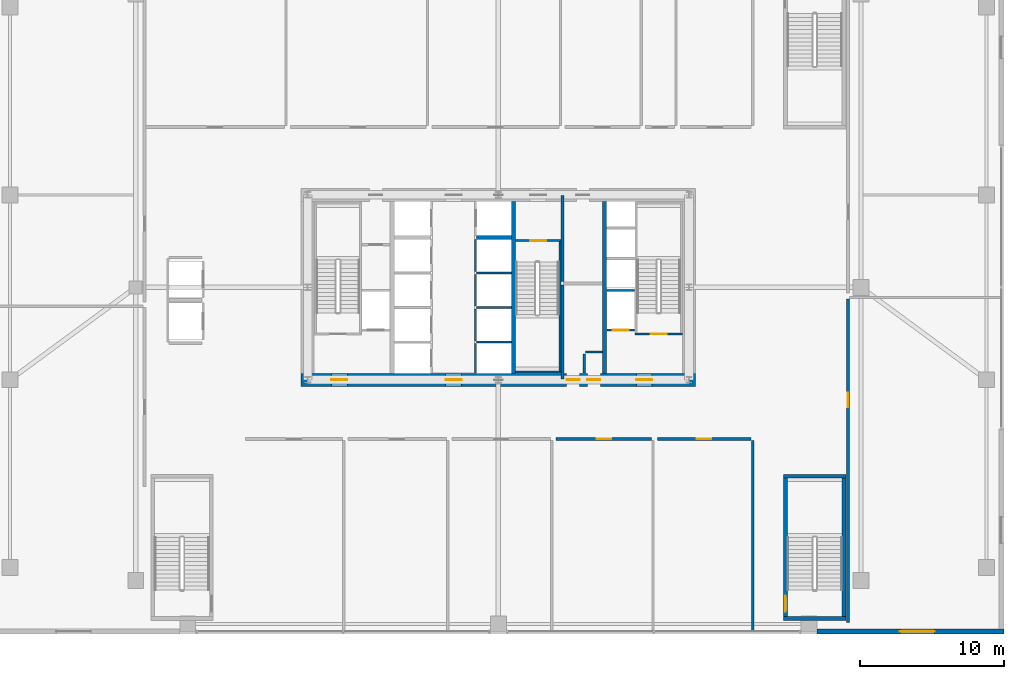
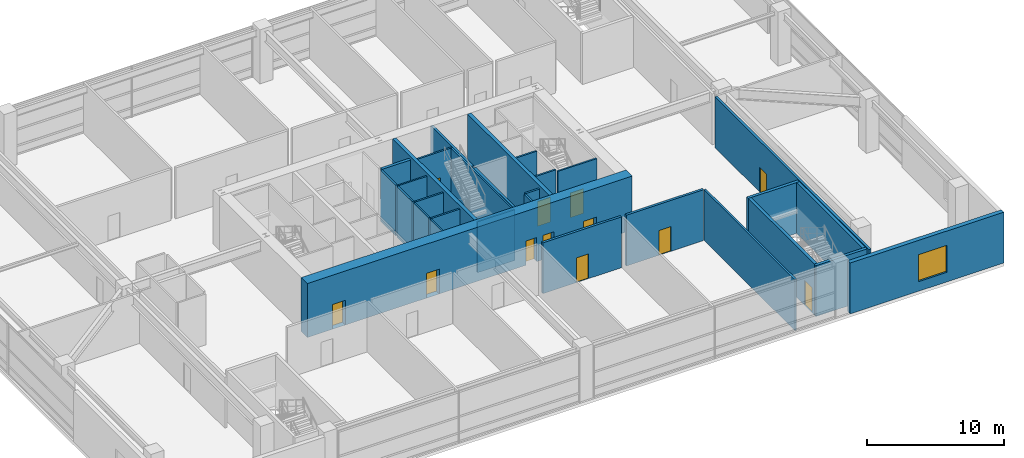
# One storey, part 34 of 39: 30 walls, 12 doors, 1 window, 13 openings.
"""IFC4 building model written with IfcOpenShell, lengths in metres."""

from ifc_helpers import new_model, si_unit, direction, frame, frame_2d, origin, place, context, subcontext, project, spatial, rectangle, extrude, source, transform, mapped, material, layer, layer_set, type_object, element, fill, save


model = new_model("IFC4")

# Units and contexts
model_context = context("Model", 3, precision=1e-05, world=origin(), true_north=direction((0.0, 1.0)))
body_context = subcontext(model_context, "Body", "Model", "MODEL_VIEW")
ifc_project = project(units=[si_unit("LENGTHUNIT", "METRE"), si_unit("AREAUNIT", "SQUARE_METRE"), si_unit("VOLUMEUNIT", "CUBIC_METRE"), si_unit("PLANEANGLEUNIT", "RADIAN"), si_unit("MASSUNIT", "GRAM", prefix="KILO"), si_unit("THERMODYNAMICTEMPERATUREUNIT", "KELVIN"), si_unit("POWERUNIT", "WATT")], contexts=[model_context])

# Site, building, storey
site_placement = place(None, origin())
site = spatial("IfcSite", under=ifc_project, at=site_placement, CompositionType="ELEMENT")
building_placement = place(site_placement, origin())
building = spatial("IfcBuilding", under=site, at=building_placement, Name="Yuzanri Waterfront Tower", CompositionType="ELEMENT")
storey_placement = place(building_placement, frame((0.0, 0.0, 15.0)))
storey = spatial("IfcBuildingStorey", under=building, at=storey_placement, Name="L04", CompositionType="ELEMENT", Elevation=15.0)

# Wall, openings, doors
ifc_material_1 = material(Name="Concrete C60", Category="concrete")
ifc_layer_1 = layer(ifc_material_1, 0.89990234375)
ifc_layer_set_1 = layer_set([ifc_layer_1], Name="Concrete C60")
wall_type_1 = type_object("IfcWallType", Name="Concrete C60 Lower Zone Core Shear Wall 900", PredefinedType="SHEAR", material=ifc_layer_set_1)
wall_1_placement = place(storey_placement, frame((23.35009765625, 19.39990234375, 0.0), z_axis=(0.0, 0.0, 1.0), x_axis=(1.0, 0.0, 0.0)))
wall_1 = element("IfcWall", 1, at=wall_1_placement, inside=storey, type_object=wall_type_1, Name="L04 Core South Shear Wall", PredefinedType="SHEAR", context=body_context, shape_type="SweptSolid", body=[
    extrude(rectangle(XDim=27.2998046875, YDim=0.89990234375, at=frame_2d((13.64990234375, 0.0))), origin(), (0.0, 0.0, 1.0), 4.800048828125),
])
opening_1_placement = place(wall_1_placement, frame((2.10009765625, 0.0, 0.0)))
opening_1 = element("IfcOpeningElement", 2, at=opening_1_placement, cuts=wall_1, Name="Opening FD-1100", PredefinedType="OPENING", context=body_context, shape_type="SweptSolid", body=[
    extrude(rectangle(XDim=1.10009765625, YDim=2.199951171875, at=frame_2d((0.550048828125, 1.10009765625))), frame((0.0, 0.46484375, 0.0), z_axis=(0.0, -1.0, 0.0), x_axis=(1.0, 0.0, 0.0)), (0.0, 0.0, 1.0), 0.9296875),
])
opening_2_placement = place(wall_1_placement, frame((10.0, 0.0, 0.0)))
opening_2 = element("IfcOpeningElement", 3, at=opening_2_placement, cuts=wall_1, Name="Opening FD-1100", PredefinedType="OPENING", context=body_context, shape_type="SweptSolid", body=[
    extrude(rectangle(XDim=1.10009765625, YDim=2.199951171875, at=frame_2d((0.550048828125, 1.10009765625))), frame((0.0, 0.46484375, 0.0), z_axis=(0.0, -1.0, 0.0), x_axis=(1.0, 0.0, 0.0)), (0.0, 0.0, 1.0), 0.9296875),
])
opening_3_placement = place(wall_1_placement, frame((23.199951171875, 0.0, 0.0)))
opening_3 = element("IfcOpeningElement", 4, at=opening_3_placement, cuts=wall_1, Name="Opening FD-1100", PredefinedType="OPENING", context=body_context, shape_type="SweptSolid", body=[
    extrude(rectangle(XDim=1.10009765625, YDim=2.199951171875, at=frame_2d((0.550048828125, 1.10009765625))), frame((0.0, 0.46484375, 0.0), z_axis=(0.0, -1.0, 0.0), x_axis=(1.0, 0.0, 0.0)), (0.0, 0.0, 1.0), 0.9296875),
])
opening_4_placement = place(wall_1_placement, frame((19.820068359375, 0.0, 0.0)))
opening_4 = element("IfcOpeningElement", 5, at=opening_4_placement, cuts=wall_1, Name="Opening FD-0900", PredefinedType="OPENING", context=body_context, shape_type="SweptSolid", body=[
    extrude(rectangle(XDim=0.89990234375, YDim=2.14990234375, at=frame_2d((0.449951171875, 1.074951171875))), frame((0.0, 0.46484375, 0.0), z_axis=(0.0, -1.0, 0.0), x_axis=(1.0, 0.0, 0.0)), (0.0, 0.0, 1.0), 0.9296875),
])
opening_5_placement = place(wall_1_placement, frame((18.3798828125, 0.0, 0.0)))
opening_5 = element("IfcOpeningElement", 6, at=opening_5_placement, cuts=wall_1, Name="Opening FD-0900", PredefinedType="OPENING", context=body_context, shape_type="SweptSolid", body=[
    extrude(rectangle(XDim=0.89990234375, YDim=2.14990234375, at=frame_2d((0.449951171875, 1.074951171875))), frame((0.0, 0.46484375, 0.0), z_axis=(0.0, -1.0, 0.0), x_axis=(1.0, 0.0, 0.0)), (0.0, 0.0, 1.0), 0.9296875),
])
ifc_material_2 = material(Name="Painted Galvanized Fire Steel", Category="steel")
door_type_1 = type_object("IfcDoorType", Name="Smoke-Proof Stair and Lobby Fire Door 1100x2200", OperationType="NOTDEFINED", PredefinedType="DOOR", material=ifc_material_2)
shared_shape_1 = source(origin(), body_context, "Body", "SweptSolid", [
    extrude(rectangle(XDim=1.10009765625, YDim=2.199951171875, at=frame_2d((0.550048828125, 1.10009765625))), frame((0.0, 0.02490234375, 0.0), z_axis=(0.0, -1.0, 0.0), x_axis=(1.0, 0.0, 0.0)), (0.0, 0.0, 1.0), 0.050048828125),
])
door_1_placement = place(opening_1_placement, origin())
door_1 = element("IfcDoor", 7, at=door_1_placement, inside=storey, type_object=door_type_1, Name="L04 West Firefighting Lobby Door", OperationType="SINGLE_SWING_LEFT", OverallHeight=2.199951171875, OverallWidth=1.10009765625, PredefinedType="DOOR", context=body_context, shape_type="MappedRepresentation", body=[
    mapped(shared_shape_1, transform((0.0, 0.0, 0.0), scale=1.0)),
])
fill(opening_1, door_1)
door_2_placement = place(opening_2_placement, origin())
door_2 = element("IfcDoor", 8, at=door_2_placement, inside=storey, type_object=door_type_1, Name="L04 Central Lift Lobby South Door", OperationType="SINGLE_SWING_RIGHT", OverallHeight=2.199951171875, OverallWidth=1.10009765625, PredefinedType="DOOR", context=body_context, shape_type="MappedRepresentation", body=[
    mapped(shared_shape_1, transform((0.0, 0.0, 0.0), scale=1.0)),
])
fill(opening_2, door_2)
door_3_placement = place(opening_3_placement, origin())
door_3 = element("IfcDoor", 9, at=door_3_placement, inside=storey, type_object=door_type_1, Name="L04 East Firefighting Lobby Door", OperationType="SINGLE_SWING_LEFT", OverallHeight=2.199951171875, OverallWidth=1.10009765625, PredefinedType="DOOR", context=body_context, shape_type="MappedRepresentation", body=[
    mapped(shared_shape_1, transform((0.0, 0.0, 0.0), scale=1.0)),
])
fill(opening_3, door_3)
ifc_material_3 = material(Name="Painted Galvanized Fire Steel", Category="steel")
door_type_2 = type_object("IfcDoorType", Name="Riser and Service Room Fire Door 900x2150", OperationType="NOTDEFINED", PredefinedType="DOOR", material=ifc_material_3)
shared_shape_2 = source(origin(), body_context, "Body", "SweptSolid", [
    extrude(rectangle(XDim=0.89990234375, YDim=2.14990234375, at=frame_2d((0.449951171875, 1.074951171875))), frame((0.0, 0.02490234375, 0.0), z_axis=(0.0, -1.0, 0.0), x_axis=(1.0, 0.0, 0.0)), (0.0, 0.0, 1.0), 0.050048828125),
])
door_4_placement = place(opening_4_placement, origin())
door_4 = element("IfcDoor", 10, at=door_4_placement, inside=storey, type_object=door_type_2, Name="L04 East Wet Riser Door", OperationType="SINGLE_SWING_RIGHT", OverallHeight=2.14990234375, OverallWidth=0.89990234375, PredefinedType="DOOR", context=body_context, shape_type="MappedRepresentation", body=[
    mapped(shared_shape_2, transform((0.0, 0.0, 0.0), scale=1.0)),
])
fill(opening_4, door_4)
door_5_placement = place(opening_5_placement, origin())
door_5 = element("IfcDoor", 11, at=door_5_placement, inside=storey, type_object=door_type_2, Name="L04 Meter and Valve Store Room", OperationType="SINGLE_SWING_LEFT", OverallHeight=2.14990234375, OverallWidth=0.89990234375, PredefinedType="DOOR", context=body_context, shape_type="MappedRepresentation", body=[
    mapped(shared_shape_2, transform((0.0, 0.0, 0.0), scale=1.0)),
])
fill(opening_5, door_5)

# Wall, opening, door
ifc_material_4 = material(Name="Concrete C40", Category="concrete")
ifc_layer_2 = layer(ifc_material_4, 0.139892578125)
ifc_layer_set_2 = layer_set([ifc_layer_2], Name="Concrete C40")
wall_type_2 = type_object("IfcWallType", Name="Core Stair Liner and Hoistway Shaft Wall 140", PredefinedType="SOLIDWALL", material=ifc_layer_set_2)
wall_2_placement = place(storey_placement, frame((44.52001953125, 22.830078125, 0.0), z_axis=(0.0, 0.0, 1.0), x_axis=(1.0, 0.0, 0.0)))
wall_2 = element("IfcWall", 12, at=wall_2_placement, inside=storey, type_object=wall_type_2, Name="L04 Lift FL-02 Front Shaft Wall", PredefinedType="SOLIDWALL", context=body_context, shape_type="SweptSolid", body=[
    extrude(rectangle(XDim=1.919921875, YDim=0.139892578125, at=frame_2d((0.9599609375, 0.0))), origin(), (0.0, 0.0, 1.0), 4.52001953125),
])
opening_6_placement = place(wall_2_placement, frame((0.409912109375, 0.0, 0.0)))
opening_6 = element("IfcOpeningElement", 13, at=opening_6_placement, cuts=wall_2, Name="Opening LD-FL-02", PredefinedType="OPENING", context=body_context, shape_type="SweptSolid", body=[
    extrude(rectangle(XDim=1.10009765625, YDim=2.199951171875, at=frame_2d((0.550048828125, 1.10009765625))), frame((0.0, 0.0849609375, 0.0), z_axis=(0.0, -1.0, 0.0), x_axis=(1.0, 0.0, 0.0)), (0.0, 0.0, 1.0), 0.169677734375),
])
ifc_material_5 = material(Name="Brushed Bronze and Stainless Steel Cab", Category="steel")
door_type_3 = type_object("IfcDoorType", Name="Center-Parting Bronze Lift Landing Sliding Door 1100x2200", OperationType="NOTDEFINED", PredefinedType="DOOR", material=ifc_material_5)
shared_shape_3 = source(origin(), body_context, "Body", "SweptSolid", [
    extrude(rectangle(XDim=1.10009765625, YDim=2.199951171875, at=frame_2d((0.550048828125, 1.10009765625))), frame((0.0, 0.02490234375, 0.0), z_axis=(0.0, -1.0, 0.0), x_axis=(1.0, 0.0, 0.0)), (0.0, 0.0, 1.0), 0.050048828125),
])
door_6_placement = place(opening_6_placement, origin())
door_6 = element("IfcDoor", 14, at=door_6_placement, inside=storey, type_object=door_type_3, Name="L04 FL-02 Lift Landing Sliding Door", OperationType="SLIDING_TO_RIGHT", OverallHeight=2.199951171875, OverallWidth=1.10009765625, PredefinedType="DOOR", context=body_context, shape_type="MappedRepresentation", body=[
    mapped(shared_shape_3, transform((0.0, 0.0, 0.0), scale=1.0)),
])
fill(opening_6, door_6)

wall_3_placement = place(storey_placement, frame((46.4599609375, 22.570068359375, 0.0), z_axis=(0.0, 0.0, 1.0), x_axis=(1.0, 0.0, 0.0)))
wall_3 = element("IfcWall", 15, at=wall_3_placement, inside=storey, type_object=wall_type_2, Name="L04 Shaft Wall STW-L04-ST-02-S", PredefinedType="SOLIDWALL", context=body_context, shape_type="SweptSolid", body=[
    extrude(rectangle(XDim=3.280029296875, YDim=0.139892578125, at=frame_2d((1.64013671875, 0.0))), origin(), (0.0, 0.0, 1.0), 4.52001953125),
])
opening_7_placement = place(wall_3_placement, frame((1.090087890625, 0.0, 0.0)))
opening_7 = element("IfcOpeningElement", 16, at=opening_7_placement, cuts=wall_3, Name="Opening FD-1100", PredefinedType="OPENING", context=body_context, shape_type="SweptSolid", body=[
    extrude(rectangle(XDim=1.10009765625, YDim=2.199951171875, at=frame_2d((0.550048828125, 1.10009765625))), frame((0.0, 0.0849609375, 0.0), z_axis=(0.0, -1.0, 0.0), x_axis=(1.0, 0.0, 0.0)), (0.0, 0.0, 1.0), 0.169677734375),
])
door_7_placement = place(opening_7_placement, origin())
door_7 = element("IfcDoor", 17, at=door_7_placement, inside=storey, type_object=door_type_1, Name="L04 Stair ST-02 Fire Door", OperationType="SINGLE_SWING_RIGHT", OverallHeight=2.199951171875, OverallWidth=1.10009765625, PredefinedType="DOOR", context=body_context, shape_type="MappedRepresentation", body=[
    mapped(shared_shape_1, transform((0.0, 0.0, 0.0), scale=1.0)),
])
fill(opening_7, door_7)

wall_4_placement = place(storey_placement, frame((38.199951171875, 29.030029296875, 0.0), z_axis=(0.0, 0.0, 1.0), x_axis=(1.0, 0.0, 0.0)))
wall_4 = element("IfcWall", 18, at=wall_4_placement, inside=storey, type_object=wall_type_2, Name="L04 Shaft Wall STW-L04-ST-03-N", PredefinedType="SOLIDWALL", context=body_context, shape_type="SweptSolid", body=[
    extrude(rectangle(XDim=3.14013671875, YDim=0.139892578125, at=frame_2d((1.570068359375, 0.0))), origin(), (0.0, 0.0, 1.0), 4.52001953125),
])
opening_8_placement = place(wall_4_placement, frame((1.02001953125, 0.0, 0.0)))
opening_8 = element("IfcOpeningElement", 19, at=opening_8_placement, cuts=wall_4, Name="Opening FD-1100", PredefinedType="OPENING", context=body_context, shape_type="SweptSolid", body=[
    extrude(rectangle(XDim=1.10009765625, YDim=2.199951171875, at=frame_2d((0.550048828125, 1.10009765625))), frame((0.0, 0.0849609375, 0.0), z_axis=(0.0, -1.0, 0.0), x_axis=(1.0, 0.0, 0.0)), (0.0, 0.0, 1.0), 0.169677734375),
])
door_8_placement = place(opening_8_placement, origin())
door_8 = element("IfcDoor", 20, at=door_8_placement, inside=storey, type_object=door_type_1, Name="L04 Stair ST-03 Fire Door", OperationType="SINGLE_SWING_LEFT", OverallHeight=2.199951171875, OverallWidth=1.10009765625, PredefinedType="DOOR", context=body_context, shape_type="MappedRepresentation", body=[
    mapped(shared_shape_1, transform((0.0, 0.0, 0.0), scale=1.0)),
])
fill(opening_8, door_8)

ifc_material_6 = material(Name="Autoclaved Aerated Concrete Blockwork", Category="masonry")
ifc_layer_3 = layer(ifc_material_6, 0.199951171875)
ifc_layer_set_3 = layer_set([ifc_layer_3], Name="Autoclaved Aerated Concrete Blockwork")
wall_type_3 = type_object("IfcWallType", Name="Corridor and Unit Party Fire Wall 200", PredefinedType="PARTITIONING", material=ifc_layer_set_3)
wall_5_placement = place(storey_placement, frame((41.0, 15.300048828125, 0.0), z_axis=(0.0, 0.0, 1.0), x_axis=(1.0, 0.0, 0.0)))
wall_5 = element("IfcWall", 21, at=wall_5_placement, inside=storey, type_object=wall_type_3, Name="L04 Partition PRW-L04-029-N", PredefinedType="PARTITIONING", context=body_context, shape_type="SweptSolid", body=[
    extrude(rectangle(XDim=6.60009765625, YDim=0.199951171875, at=frame_2d((3.300048828125, 0.0))), origin(), (0.0, 0.0, 1.0), 4.52001953125),
])
opening_9_placement = place(wall_5_placement, frame((2.800048828125, 0.0, 0.0)))
opening_9 = element("IfcOpeningElement", 22, at=opening_9_placement, cuts=wall_5, Name="Opening FD-1000", PredefinedType="OPENING", context=body_context, shape_type="SweptSolid", body=[
    extrude(rectangle(XDim=1.0, YDim=2.199951171875, at=frame_2d((0.5, 1.10009765625))), frame((0.0, 0.11474609375, 0.0), z_axis=(0.0, -1.0, 0.0), x_axis=(1.0, 0.0, 0.0)), (0.0, 0.0, 1.0), 0.229736328125),
])
ifc_material_7 = material(Name="Engineered Oak Fire-Rated Timber", Category="wood")
door_type_4 = type_object("IfcDoorType", Name="Guestroom and Apartment Entrance Fire Door 1000x2200", OperationType="NOTDEFINED", PredefinedType="DOOR", material=ifc_material_7)
shared_shape_4 = source(origin(), body_context, "Body", "SweptSolid", [
    extrude(rectangle(XDim=1.0, YDim=2.199951171875, at=frame_2d((0.5, 1.10009765625))), frame((0.0, 0.02490234375, 0.0), z_axis=(0.0, -1.0, 0.0), x_axis=(1.0, 0.0, 0.0)), (0.0, 0.0, 1.0), 0.050048828125),
])
door_9_placement = place(opening_9_placement, origin())
door_9 = element("IfcDoor", 23, at=door_9_placement, inside=storey, type_object=door_type_4, Name="L04 Pilates Movement Studio", OperationType="SINGLE_SWING_RIGHT", OverallHeight=2.199951171875, OverallWidth=1.0, PredefinedType="DOOR", context=body_context, shape_type="MappedRepresentation", body=[
    mapped(shared_shape_4, transform((0.0, 0.0, 0.0), scale=1.0)),
])
fill(opening_9, door_9)

wall_6_placement = place(storey_placement, frame((48.0, 15.300048828125, 0.0), z_axis=(0.0, 0.0, 1.0), x_axis=(1.0, 0.0, 0.0)))
wall_6 = element("IfcWall", 24, at=wall_6_placement, inside=storey, type_object=wall_type_3, Name="L04 Partition PRW-L04-030-N", PredefinedType="PARTITIONING", context=body_context, shape_type="SweptSolid", body=[
    extrude(rectangle(XDim=6.5, YDim=0.199951171875, at=frame_2d((3.25, 0.0))), origin(), (0.0, 0.0, 1.0), 4.52001953125),
])
opening_10_placement = place(wall_6_placement, frame((2.75, 0.0, 0.0)))
opening_10 = element("IfcOpeningElement", 25, at=opening_10_placement, cuts=wall_6, Name="Opening FD-1000", PredefinedType="OPENING", context=body_context, shape_type="SweptSolid", body=[
    extrude(rectangle(XDim=1.0, YDim=2.199951171875, at=frame_2d((0.5, 1.10009765625))), frame((0.0, 0.11474609375, 0.0), z_axis=(0.0, -1.0, 0.0), x_axis=(1.0, 0.0, 0.0)), (0.0, 0.0, 1.0), 0.229736328125),
])
door_10_placement = place(opening_10_placement, origin())
door_10 = element("IfcDoor", 26, at=door_10_placement, inside=storey, type_object=door_type_4, Name="L04 Mindfulness Yoga Gymnasium", OperationType="SINGLE_SWING_LEFT", OverallHeight=2.199951171875, OverallWidth=1.0, PredefinedType="DOOR", context=body_context, shape_type="MappedRepresentation", body=[
    mapped(shared_shape_4, transform((0.0, 0.0, 0.0), scale=1.0)),
])
fill(opening_10, door_10)

wall_7_placement = place(storey_placement, frame((61.199951171875, 2.60009765625, 0.0), z_axis=(0.0, 0.0, 1.0), x_axis=(0.0, 1.0, 0.0)))
wall_7 = element("IfcWall", 27, at=wall_7_placement, inside=storey, type_object=wall_type_3, Name="L04 Partition PRW-L04-033-W", PredefinedType="PARTITIONING", context=body_context, shape_type="SweptSolid", body=[
    extrude(rectangle(XDim=22.39990234375, YDim=0.199951171875, at=frame_2d((11.199951171875, 0.0))), origin(), (0.0, 0.0, 1.0), 4.52001953125),
])
opening_11_placement = place(wall_7_placement, frame((14.89990234375, 0.0, 0.0)))
opening_11 = element("IfcOpeningElement", 28, at=opening_11_placement, cuts=wall_7, Name="Opening FD-1000", PredefinedType="OPENING", context=body_context, shape_type="SweptSolid", body=[
    extrude(rectangle(XDim=1.0, YDim=2.199951171875, at=frame_2d((0.5, 1.10009765625))), frame((0.0, 0.11474609375, 0.0), z_axis=(0.0, -1.0, 0.0), x_axis=(1.0, 0.0, 0.0)), (0.0, 0.0, 1.0), 0.229736328125),
])
door_11_placement = place(opening_11_placement, origin())
door_11 = element("IfcDoor", 29, at=door_11_placement, inside=storey, type_object=door_type_4, Name="L04 Riverview Strength Gymnasium", OperationType="SINGLE_SWING_RIGHT", OverallHeight=2.199951171875, OverallWidth=1.0, PredefinedType="DOOR", context=body_context, shape_type="MappedRepresentation", body=[
    mapped(shared_shape_4, transform((0.0, 0.0, 0.0), scale=1.0)),
])
fill(opening_11, door_11)

# Wall, opening, window
ifc_material_8 = material(Name="Honed Chongqing Dark Basalt Stone", Category="masonry")
ifc_layer_4 = layer(ifc_material_8, 0.360107421875)
ifc_layer_set_4 = layer_set([ifc_layer_4], Name="Honed Chongqing Dark Basalt Stone")
wall_type_4 = type_object("IfcWallType", Name="Honed Basalt Stone Masonry-Frame Spandrel Wall 360", PredefinedType="SOLIDWALL", material=ifc_layer_set_4)
wall_8_placement = place(storey_placement, frame((59.070068359375, 1.97998046875, 0.0), z_axis=(0.0, 0.0, 1.0), x_axis=(1.0, 0.0, 0.0)))
wall_8 = element("IfcWall", 30, at=wall_8_placement, inside=storey, type_object=wall_type_4, Name="L04 South-East Basalt Pier", PredefinedType="SOLIDWALL", context=body_context, shape_type="SweptSolid", body=[
    extrude(rectangle(XDim=12.929931640625, YDim=0.360107421875, at=frame_2d((6.46484375, 0.0))), origin(), (0.0, 0.0, 1.0), 4.52001953125),
])
opening_12_placement = place(wall_8_placement, frame((5.72998046875, 0.0, 0.85009765625)))
opening_12 = element("IfcOpeningElement", 31, at=opening_12_placement, cuts=wall_8, Name="Opening WN-03", PredefinedType="OPENING", context=body_context, shape_type="SweptSolid", body=[
    extrude(rectangle(XDim=2.39990234375, YDim=2.39990234375, at=frame_2d((1.199951171875, 1.199951171875))), frame((0.0, 0.19482421875, 0.0), z_axis=(0.0, -1.0, 0.0), x_axis=(1.0, 0.0, 0.0)), (0.0, 0.0, 1.0), 0.389892578125),
])
ifc_material_9 = material(Name="Double-Silver Low-E Insulated Glass", Category="glass")
window_type = type_object("IfcWindowType", Name="Anodized Bronze Podium Waterfront Picture Window 2400x2400", PartitioningType="SINGLE_PANEL", PredefinedType="WINDOW", material=ifc_material_9)
shared_shape_5 = source(origin(), body_context, "Body", "SweptSolid", [
    extrude(rectangle(XDim=2.39990234375, YDim=2.39990234375, at=frame_2d((1.199951171875, 1.199951171875))), frame((0.0, 0.030029296875, 0.0), z_axis=(0.0, -1.0, 0.0), x_axis=(1.0, 0.0, 0.0)), (0.0, 0.0, 1.0), 0.06005859375),
])
window_placement = place(opening_12_placement, origin())
window = element("IfcWindow", 32, at=window_placement, inside=storey, type_object=window_type, Name="L04 SE Waterfront Window", OverallHeight=2.39990234375, OverallWidth=2.39990234375, PartitioningType="SINGLE_PANEL", PredefinedType="WINDOW", context=body_context, shape_type="MappedRepresentation", body=[
    mapped(shared_shape_5, transform((0.0, 0.0, 0.0), scale=1.0)),
])
fill(opening_12, window)

# Wall, opening, door
ifc_material_10 = material(Name="Concrete C40", Category="concrete")
ifc_layer_5 = layer(ifc_material_10, 0.25)
ifc_layer_set_5 = layer_set([ifc_layer_5], Name="Concrete C40")
wall_type_5 = type_object("IfcWallType", Name="Smoke-Proof Stair and Lift Shaft Wall 250", PredefinedType="SOLIDWALL", material=ifc_layer_set_5)
wall_9_placement = place(storey_placement, frame((56.875, 3.0, 0.0), z_axis=(0.0, 0.0, 1.0), x_axis=(0.0, 1.0, 0.0)))
wall_9 = element("IfcWall", 33, at=wall_9_placement, inside=storey, type_object=wall_type_5, Name="L04 Shaft Wall PSTW-L04-PST-02-W", PredefinedType="SOLIDWALL", context=body_context, shape_type="SweptSolid", body=[
    extrude(rectangle(XDim=9.60009765625, YDim=0.25, at=frame_2d((4.800048828125, 0.0))), origin(), (0.0, 0.0, 1.0), 4.52001953125),
])
opening_13_placement = place(wall_9_placement, frame((0.35009765625, 0.0, 0.0)))
opening_13 = element("IfcOpeningElement", 34, at=opening_13_placement, cuts=wall_9, Name="Opening FD-1100", PredefinedType="OPENING", context=body_context, shape_type="SweptSolid", body=[
    extrude(rectangle(XDim=1.10009765625, YDim=2.199951171875, at=frame_2d((0.550048828125, 1.10009765625))), frame((0.0, 0.139892578125, 0.0), z_axis=(0.0, -1.0, 0.0), x_axis=(1.0, 0.0, 0.0)), (0.0, 0.0, 1.0), 0.27978515625),
])
door_12_placement = place(opening_13_placement, origin())
door_12 = element("IfcDoor", 35, at=door_12_placement, inside=storey, type_object=door_type_1, Name="L04 PST-02 Stair Door", OperationType="SINGLE_SWING_LEFT", OverallHeight=2.199951171875, OverallWidth=1.10009765625, PredefinedType="DOOR", context=body_context, shape_type="MappedRepresentation", body=[
    mapped(shared_shape_1, transform((0.0, 0.0, 0.0), scale=1.0)),
])
fill(opening_13, door_12)

# Walls
ifc_material_11 = material(Name="Concrete C50", Category="concrete")
ifc_layer_6 = layer(ifc_material_11, 0.300048828125)
ifc_layer_set_6 = layer_set([ifc_layer_6], Name="Concrete C50")
wall_type_6 = type_object("IfcWallType", Name="Concrete C50 Internal Core Shaft Structural Wall 300", PredefinedType="SOLIDWALL", material=ifc_layer_set_6)
shared_shape_6 = source(origin(), body_context, "Body", "SweptSolid", [
    extrude(rectangle(XDim=11.89990234375, YDim=0.300048828125, at=frame_2d((5.949951171875, 0.0))), origin(), (0.0, 0.0, 1.0), 4.800048828125),
])
for number, where, z_axis, x_axis, name in (
    (36, (38.050048828125, 19.85009765625, 0.0), (0.0, 0.0, 1.0), (0.0, 1.0, 0.0), "L04 Core Internal Structural Web Wall 2"),
    (37, (44.35009765625, 19.85009765625, 0.0), (0.0, 0.0, 1.0), (0.0, 1.0, 0.0), "L04 Core Internal Structural Web Wall 3"),
):
    element("IfcWall", number, at=place(storey_placement, frame(where, z_axis=z_axis, x_axis=x_axis)), inside=storey, type_object=wall_type_6, Name=name, PredefinedType="SOLIDWALL", context=body_context, shape_type="MappedRepresentation", body=[
        mapped(shared_shape_6, transform((0.0, 0.0, 0.0), scale=1.0)),
    ])
shared_shape_7 = source(origin(), body_context, "Body", "SweptSolid", [
    extrude(rectangle(XDim=1.919921875, YDim=0.139892578125, at=frame_2d((0.9599609375, 0.0))), origin(), (0.0, 0.0, 1.0), 4.52001953125),
])
wall_10_placement = place(storey_placement, frame((44.52001953125, 25.570068359375, 0.0), z_axis=(0.0, 0.0, 1.0), x_axis=(1.0, 0.0, 0.0)))
element("IfcWall", 38, at=wall_10_placement, inside=storey, type_object=wall_type_2, Name="L04 Lift FL-02 Back Shaft Wall", PredefinedType="SOLIDWALL", context=body_context, shape_type="MappedRepresentation", body=[
    mapped(shared_shape_7, transform((0.0, 0.0, 0.0), scale=1.0)),
])
shared_shape_8 = source(origin(), body_context, "Body", "SweptSolid", [
    extrude(rectangle(XDim=2.039794921875, YDim=0.139892578125, at=frame_2d((1.02001953125, 0.0))), origin(), (0.0, 0.0, 1.0), 4.52001953125),
])
wall_11_placement = place(storey_placement, frame((35.429931640625, 19.860107421875, 0.0), z_axis=(0.0, 0.0, 1.0), x_axis=(0.0, 1.0, 0.0)))
element("IfcWall", 39, at=wall_11_placement, inside=storey, type_object=wall_type_2, Name="L04 Lift PL-05 Front Shaft Wall", PredefinedType="SOLIDWALL", context=body_context, shape_type="MappedRepresentation", body=[
    mapped(shared_shape_8, transform((0.0, 0.0, 0.0), scale=1.0)),
])
shared_shape_9 = source(origin(), body_context, "Body", "SweptSolid", [
    extrude(rectangle(XDim=2.199951171875, YDim=0.139892578125, at=frame_2d((1.10009765625, 0.0))), origin(), (0.0, 0.0, 1.0), 4.52001953125),
])
for number, where, z_axis, x_axis, name in (
    (40, (35.429931640625, 22.10009765625, 0.0), (0.0, 0.0, 1.0), (0.0, 1.0, 0.0), "L04 Lift PL-06 Front Shaft Wall"),
    (41, (35.429931640625, 24.5, 0.0), (0.0, 0.0, 1.0), (0.0, 1.0, 0.0), "L04 Lift PL-07 Front Shaft Wall"),
):
    element("IfcWall", number, at=place(storey_placement, frame(where, z_axis=z_axis, x_axis=x_axis)), inside=storey, type_object=wall_type_2, Name=name, PredefinedType="SOLIDWALL", context=body_context, shape_type="MappedRepresentation", body=[
        mapped(shared_shape_9, transform((0.0, 0.0, 0.0), scale=1.0)),
    ])
shared_shape_10 = source(origin(), body_context, "Body", "SweptSolid", [
    extrude(rectangle(XDim=2.2001953125, YDim=0.139892578125, at=frame_2d((1.10009765625, 0.0))), origin(), (0.0, 0.0, 1.0), 4.52001953125),
])
wall_12_placement = place(storey_placement, frame((35.429931640625, 26.89990234375, 0.0), z_axis=(0.0, 0.0, 1.0), x_axis=(0.0, 1.0, 0.0)))
element("IfcWall", 42, at=wall_12_placement, inside=storey, type_object=wall_type_2, Name="L04 Lift PL-08 Front Shaft Wall", PredefinedType="SOLIDWALL", context=body_context, shape_type="MappedRepresentation", body=[
    mapped(shared_shape_10, transform((0.0, 0.0, 0.0), scale=1.0)),
])
shared_shape_11 = source(origin(), body_context, "Body", "SweptSolid", [
    extrude(rectangle(XDim=2.39990234375, YDim=0.139892578125, at=frame_2d((1.199951171875, 0.0))), origin(), (0.0, 0.0, 1.0), 4.52001953125),
])
for number, where, z_axis, x_axis, name in (
    (43, (35.5, 22.0, 0.0), (0.0, 0.0, 1.0), (1.0, 0.0, 0.0), "L04 Lift PL-05 Divider Wall"),
    (44, (35.5, 24.39990234375, 0.0), (0.0, 0.0, 1.0), (1.0, 0.0, 0.0), "L04 Lift PL-06 Divider Wall"),
    (45, (35.5, 26.800048828125, 0.0), (0.0, 0.0, 1.0), (1.0, 0.0, 0.0), "L04 Lift PL-07 Divider Wall"),
):
    element("IfcWall", number, at=place(storey_placement, frame(where, z_axis=z_axis, x_axis=x_axis)), inside=storey, type_object=wall_type_2, Name=name, PredefinedType="SOLIDWALL", context=body_context, shape_type="MappedRepresentation", body=[
        mapped(shared_shape_11, transform((0.0, 0.0, 0.0), scale=1.0)),
    ])
shared_shape_12 = source(origin(), body_context, "Body", "SweptSolid", [
    extrude(rectangle(XDim=2.39990234375, YDim=0.25, at=frame_2d((1.199951171875, 0.0))), origin(), (0.0, 0.0, 1.0), 4.52001953125),
])
wall_13_placement = place(storey_placement, frame((35.5, 29.25, 0.0), z_axis=(0.0, 0.0, 1.0), x_axis=(1.0, 0.0, 0.0)))
element("IfcWall", 46, at=wall_13_placement, inside=storey, type_object=wall_type_5, Name="L04 Lift SL-02 South Shaft Wall", PredefinedType="SOLIDWALL", context=body_context, shape_type="MappedRepresentation", body=[
    mapped(shared_shape_12, transform((0.0, 0.0, 0.0), scale=1.0)),
])
shared_shape_13 = source(origin(), body_context, "Body", "SweptSolid", [
    extrude(rectangle(XDim=3.14013671875, YDim=0.139892578125, at=frame_2d((1.570068359375, 0.0))), origin(), (0.0, 0.0, 1.0), 4.52001953125),
])
wall_14_placement = place(storey_placement, frame((38.199951171875, 19.949951171875, 0.0), z_axis=(0.0, 0.0, 1.0), x_axis=(1.0, 0.0, 0.0)))
element("IfcWall", 47, at=wall_14_placement, inside=storey, type_object=wall_type_2, Name="L04 Stair ST-03 South Shaft Wall", PredefinedType="SOLIDWALL", context=body_context, shape_type="MappedRepresentation", body=[
    mapped(shared_shape_13, transform((0.0, 0.0, 0.0), scale=1.0)),
])
shared_shape_14 = source(origin(), body_context, "Body", "SweptSolid", [
    extrude(rectangle(XDim=8.93994140625, YDim=0.139892578125, at=frame_2d((4.469970703125, 0.0))), origin(), (0.0, 0.0, 1.0), 4.52001953125),
])
wall_15_placement = place(storey_placement, frame((41.27001953125, 20.02001953125, 0.0), z_axis=(0.0, 0.0, 1.0), x_axis=(0.0, 1.0, 0.0)))
element("IfcWall", 48, at=wall_15_placement, inside=storey, type_object=wall_type_2, Name="L04 Stair ST-03 East Shaft Wall", PredefinedType="SOLIDWALL", context=body_context, shape_type="MappedRepresentation", body=[
    mapped(shared_shape_14, transform((0.0, 0.0, 0.0), scale=1.0)),
])
shared_shape_15 = source(origin(), body_context, "Body", "SweptSolid", [
    extrude(rectangle(XDim=4.300048828125, YDim=0.25, at=frame_2d((2.14990234375, 0.0))), origin(), (0.0, 0.0, 1.0), 4.52001953125),
])
for number, where, z_axis, x_axis, name in (
    (49, (56.75, 2.875, 0.0), (0.0, 0.0, 1.0), (1.0, 0.0, 0.0), "L04 PST-02 South Wall"),
    (50, (56.75, 12.72509765625, 0.0), (0.0, 0.0, 1.0), (1.0, 0.0, 0.0), "L04 PST-02 North Wall"),
):
    element("IfcWall", number, at=place(storey_placement, frame(where, z_axis=z_axis, x_axis=x_axis)), inside=storey, type_object=wall_type_5, Name=name, PredefinedType="SOLIDWALL", context=body_context, shape_type="MappedRepresentation", body=[
        mapped(shared_shape_15, transform((0.0, 0.0, 0.0), scale=1.0)),
    ])
shared_shape_16 = source(origin(), body_context, "Body", "SweptSolid", [
    extrude(rectangle(XDim=9.60009765625, YDim=0.25, at=frame_2d((4.800048828125, 0.0))), origin(), (0.0, 0.0, 1.0), 4.52001953125),
])
wall_16_placement = place(storey_placement, frame((60.925048828125, 3.0, 0.0), z_axis=(0.0, 0.0, 1.0), x_axis=(0.0, 1.0, 0.0)))
element("IfcWall", 51, at=wall_16_placement, inside=storey, type_object=wall_type_5, Name="L04 Shaft Wall PSTW-L04-PST-02-E", PredefinedType="SOLIDWALL", context=body_context, shape_type="MappedRepresentation", body=[
    mapped(shared_shape_16, transform((0.0, 0.0, 0.0), scale=1.0)),
])
ifc_material_12 = material(Name="Gypsum Fireboard Acoustic Stud Wall", Category="gypsum")
ifc_layer_7 = layer(ifc_material_12, 0.159912109375)
ifc_layer_set_7 = layer_set([ifc_layer_7], Name="Gypsum Fireboard Acoustic Stud Wall")
wall_type_7 = type_object("IfcWallType", Name="Acoustic Suite Demising Partition 160", PredefinedType="PARTITIONING", material=ifc_layer_set_7)
shared_shape_17 = source(origin(), body_context, "Body", "SweptSolid", [
    extrude(rectangle(XDim=1.33984375, YDim=0.159912109375, at=frame_2d((0.669921875, 0.0))), origin(), (0.0, 0.0, 1.0), 4.52001953125),
])
wall_17_placement = place(storey_placement, frame((42.949951171875, 19.860107421875, 0.0), z_axis=(0.0, 0.0, 1.0), x_axis=(0.0, 1.0, 0.0)))
element("IfcWall", 52, at=wall_17_placement, inside=storey, type_object=wall_type_7, Name="L04 East Wet Riser West Wall", PredefinedType="PARTITIONING", context=body_context, shape_type="MappedRepresentation", body=[
    mapped(shared_shape_17, transform((0.0, 0.0, 0.0), scale=1.0)),
])
shared_shape_18 = source(origin(), body_context, "Body", "SweptSolid", [
    extrude(rectangle(XDim=1.169921875, YDim=0.159912109375, at=frame_2d((0.5849609375, 0.0))), origin(), (0.0, 0.0, 1.0), 4.52001953125),
])
wall_18_placement = place(storey_placement, frame((43.030029296875, 21.320068359375, 0.0), z_axis=(0.0, 0.0, 1.0), x_axis=(1.0, 0.0, 0.0)))
element("IfcWall", 53, at=wall_18_placement, inside=storey, type_object=wall_type_7, Name="L04 East Wet Riser North Wall", PredefinedType="PARTITIONING", context=body_context, shape_type="MappedRepresentation", body=[
    mapped(shared_shape_18, transform((0.0, 0.0, 0.0), scale=1.0)),
])
shared_shape_19 = source(origin(), body_context, "Body", "SweptSolid", [
    extrude(rectangle(XDim=6.510009765625, YDim=0.199951171875, at=frame_2d((3.2548828125, 0.0))), origin(), (0.0, 0.0, 1.0), 4.52001953125),
])
wall_19_placement = place(storey_placement, frame((41.449951171875, 19.43994140625, 0.0), z_axis=(0.0, 0.0, 1.0), x_axis=(0.0, 1.0, 0.0)))
element("IfcWall", 54, at=wall_19_placement, inside=storey, type_object=wall_type_3, Name="L04 Core BOH West Wall 1", PredefinedType="PARTITIONING", context=body_context, shape_type="MappedRepresentation", body=[
    mapped(shared_shape_19, transform((0.0, 0.0, 0.0), scale=1.0)),
])
shared_shape_20 = source(origin(), body_context, "Body", "SweptSolid", [
    extrude(rectangle(XDim=5.9599609375, YDim=0.199951171875, at=frame_2d((2.97998046875, 0.0))), origin(), (0.0, 0.0, 1.0), 4.52001953125),
])
wall_20_placement = place(storey_placement, frame((41.449951171875, 26.199951171875, 0.0), z_axis=(0.0, 0.0, 1.0), x_axis=(0.0, 1.0, 0.0)))
element("IfcWall", 55, at=wall_20_placement, inside=storey, type_object=wall_type_3, Name="L04 Core BOH West Wall 2", PredefinedType="PARTITIONING", context=body_context, shape_type="MappedRepresentation", body=[
    mapped(shared_shape_20, transform((0.0, 0.0, 0.0), scale=1.0)),
])
shared_shape_21 = source(origin(), body_context, "Body", "SweptSolid", [
    extrude(rectangle(XDim=13.219970703125, YDim=0.159912109375, at=frame_2d((6.60986328125, 0.0))), origin(), (0.0, 0.0, 1.0), 4.52001953125),
])
wall_21_placement = place(storey_placement, frame((54.60009765625, 1.97998046875, 0.0), z_axis=(0.0, 0.0, 1.0), x_axis=(0.0, 1.0, 0.0)))
element("IfcWall", 56, at=wall_21_placement, inside=storey, type_object=wall_type_7, Name="L04-030 Demising Wall", PredefinedType="PARTITIONING", context=body_context, shape_type="MappedRepresentation", body=[
    mapped(shared_shape_21, transform((0.0, 0.0, 0.0), scale=1.0)),
])

save(model, "model.ifc")
